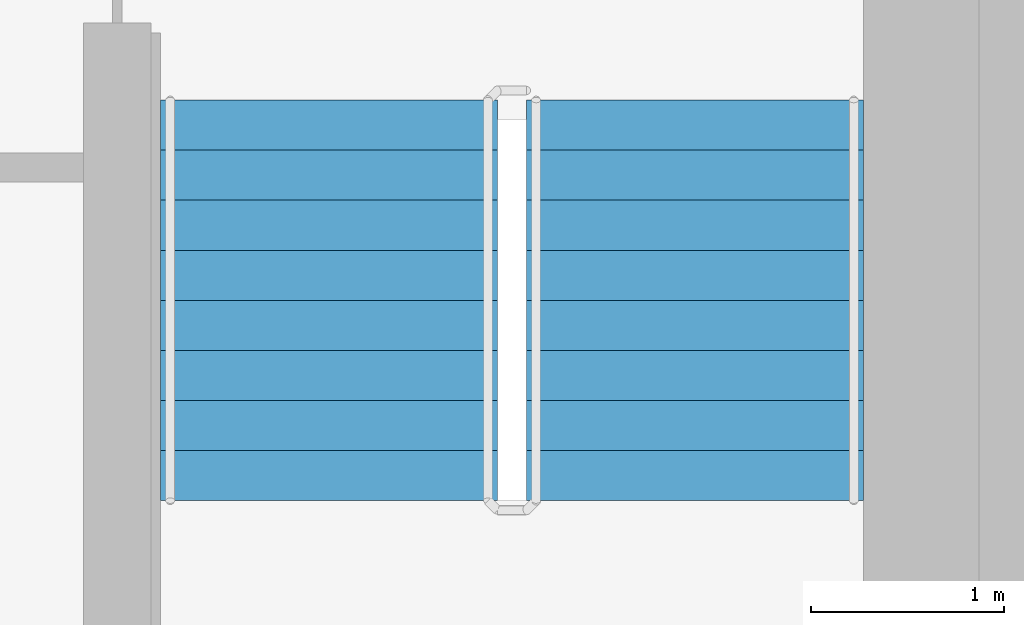
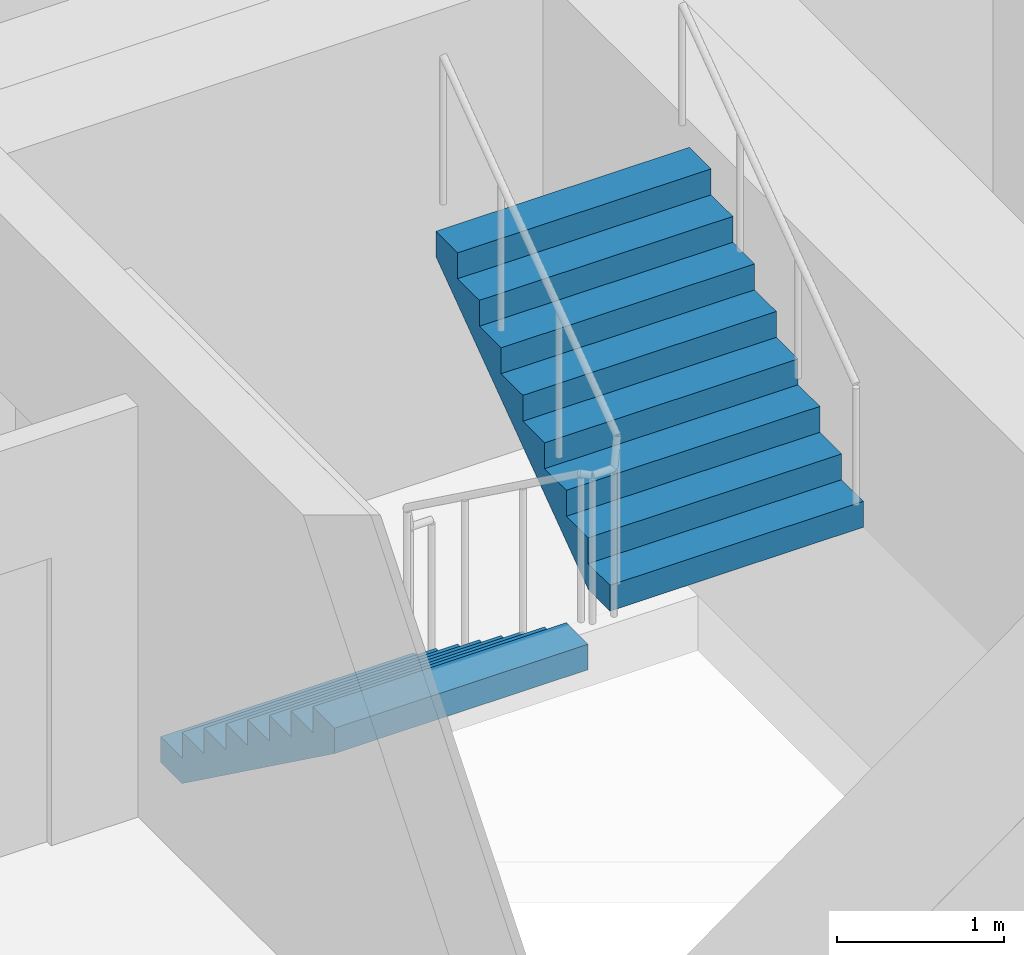
# One storey, part 14 of 18: 2 stair flights, 1 element without a shape of its own.
"""IFC4 building model written with IfcOpenShell, lengths in metres."""

import ifcopenshell
import ifcopenshell.guid

model = None  # the IFC model being written
_history = None  # IfcOwnerHistory: only IFC2X3 demands one
_inside = {}  # id of a spatial element -> (the spatial element, [elements in it])
_under = {}  # id of a project, library or spatial element -> (it, [spatial elements below it])
_declared = {}  # id of a project -> (the project, [libraries it declares])
_typed = {}  # id of a type object -> (the type object, [elements of that type])
_made_of = {}  # id of a material, layer set ... -> (it, [elements and type objects made of it])


def new_model(schema):
    """Start an empty IFC model of exactly this schema.

    Asked for "IFC4X3", IfcOpenShell would pick the latest addendum, in which some entities
    have other attributes; the version numbers below select the first issue.
    IFC2X3 requires an IfcOwnerHistory on every rooted entity: one is made here for all.
    """
    global model, _history
    if schema == "IFC4X3":
        model = ifcopenshell.file(schema_version=(4, 3, 0, 0))
    else:
        model = ifcopenshell.file(schema=schema)
    _inside.clear()
    _under.clear()
    _declared.clear()
    _typed.clear()
    _made_of.clear()
    _history = None
    if model.schema == "IFC2X3":
        org = make("IfcOrganization", Name="unknown")
        user = make(
            "IfcPersonAndOrganization",
            ThePerson=make("IfcPerson", FamilyName="unknown"),
            TheOrganization=org,
        )
        app = make(
            "IfcApplication",
            ApplicationDeveloper=org,
            Version="unknown",
            ApplicationFullName="unknown",
            ApplicationIdentifier="unknown",
        )
        _history = make(
            "IfcOwnerHistory",
            OwningUser=user,
            OwningApplication=app,
            ChangeAction="ADDED",
            CreationDate=0,
        )
    return model


def make(cls, **values):
    """One entity of the class cls with the attributes given. An attribute that is None is left unset."""
    return model.create_entity(
        cls, **{name: value for name, value in values.items() if value is not None}
    )


def rooted(cls, **values):
    """An entity with a GlobalId (a new one), such as an element, a storey or a relation."""
    return make(cls, GlobalId=ifcopenshell.guid.new(), OwnerHistory=_history, **values)


def si_unit(unit_type, name, prefix=None):
    """IfcSIUnit, for example si_unit("LENGTHUNIT", "METRE", prefix="MILLI")."""
    return make("IfcSIUnit", UnitType=unit_type, Prefix=prefix, Name=name)


def assignment(units):
    """IfcUnitAssignment: the units of a project."""
    return None if units is None else make("IfcUnitAssignment", Units=units)


def point(xyz):
    """IfcCartesianPoint."""
    return None if xyz is None else make("IfcCartesianPoint", Coordinates=xyz)


def direction(xyz):
    """IfcDirection."""
    return None if xyz is None else make("IfcDirection", DirectionRatios=xyz)


def frame(location, z_axis=None, x_axis=None):
    """IfcAxis2Placement3D, a coordinate frame: its origin and axes. An axis left out is left unset."""
    return make(
        "IfcAxis2Placement3D",
        Location=point(location),
        Axis=direction(z_axis),
        RefDirection=direction(x_axis),
    )


def origin():
    """The frame at (0, 0, 0) with its axes left unset."""
    return frame((0.0, 0.0, 0.0))


def place(relative_to, where):
    """IfcLocalPlacement: puts the frame where relative to a parent placement (None: the world)."""
    return make(
        "IfcLocalPlacement", PlacementRelTo=relative_to, RelativePlacement=where
    )


def context(
    kind, dimensions, precision=None, world=None, true_north=None, identifier=None
):
    """IfcGeometricRepresentationContext, for example the 3D "Model" context."""
    return make(
        "IfcGeometricRepresentationContext",
        ContextIdentifier=identifier,
        ContextType=kind,
        CoordinateSpaceDimension=dimensions,
        Precision=precision,
        WorldCoordinateSystem=world,
        TrueNorth=true_north,
    )


def subcontext(parent, identifier, kind, view, scale=None):
    """IfcGeometricRepresentationSubContext, for example "Body" below "Model"."""
    return make(
        "IfcGeometricRepresentationSubContext",
        ContextIdentifier=identifier,
        ContextType=kind,
        ParentContext=parent,
        TargetScale=scale,
        TargetView=view,
    )


def project(units=None, contexts=None):
    """IfcProject with its units and contexts."""
    return rooted(
        "IfcProject",
        Name="project",
        RepresentationContexts=contexts,
        UnitsInContext=assignment(units),
    )


def spatial(cls, under=None, at=None, **own):
    """A site, building, storey or space (cls), placed at a placement, below another one or the project."""
    s = rooted(cls, ObjectPlacement=at, **own)
    if under is not None:
        _under.setdefault(under.id(), (under, []))[1].append(s)
    return s


def faces_of(points, faces, orient=None, outer=None):
    """IfcFace entities. A face is a list of loops; a loop is a list of indices into points, from 0.

    orient and outer hold one flag for each loop. By default every Orientation is true, the
    first loop of a face is its IfcFaceOuterBound and the others are IfcFaceBound.
    """
    made = []
    for i, loops in enumerate(faces):
        bounds = []
        for j, loop in enumerate(loops):
            is_outer = j == 0 if outer is None else outer[i][j]
            bounds.append(
                make(
                    "IfcFaceOuterBound" if is_outer else "IfcFaceBound",
                    Bound=make("IfcPolyLoop", Polygon=[points[k] for k in loop]),
                    Orientation=True if orient is None else orient[i][j],
                )
            )
        made.append(make("IfcFace", Bounds=bounds))
    return made


def faceted_brep(points, faces, orient=None, outer=None, voids=None):
    """IfcFacetedBrep: a solid bounded by flat faces; with voids (closed shells), ...WithVoids."""
    shared = [point(p) for p in points]
    hull = make("IfcClosedShell", CfsFaces=faces_of(shared, faces, orient, outer))
    if voids is None:
        return make("IfcFacetedBrep", Outer=hull)
    return make(
        "IfcFacetedBrepWithVoids",
        Outer=hull,
        Voids=[
            make(cls, CfsFaces=faces_of(shared, fs, o, b)) for cls, fs, o, b in voids
        ],
    )


def shape(context_of_items, identifier, shape_type, items):
    """IfcShapeRepresentation: the items that make up one representation, for example the "Body"."""
    return make(
        "IfcShapeRepresentation",
        ContextOfItems=context_of_items,
        RepresentationIdentifier=identifier,
        RepresentationType=shape_type,
        Items=items,
    )


def material(Name=None, Category=None):
    """IfcMaterial."""
    return make("IfcMaterial", Name=Name, Category=Category)


def made_of(thing, what):
    """Note that an element or type object is made of a material, layer set ...; save() writes the relation."""
    if what is not None:
        _made_of.setdefault(what.id(), (what, []))[1].append(thing)
    return thing


def type_object(cls, material=None, **own):
    """A type object (cls), such as IfcWallType, which elements share."""
    return made_of(rooted(cls, **own), material)


def element(
    cls,
    number,
    at=None,
    inside=None,
    cuts=None,
    type_object=None,
    material=None,
    context=None,
    identifier="Body",
    shape_type=None,
    held_by="IfcProductDefinitionShape",
    body=None,
    shapes=None,
    **own,
):
    """One element of the class cls, such as IfcWall. Its Tag is "e" and its number.

    at: its placement. inside: the storey or other place that contains it. cuts: it is an
    opening in that element (IfcRelVoidsElement). A single representation is given by context,
    identifier, shape_type and body (its items); several are given by shapes. held_by: the class
    of the entity that holds the representations. save() writes the other relations.
    """
    e = rooted(cls, Tag="e%d" % number, ObjectPlacement=at, **own)
    if body is not None:
        shapes = [shape(context, identifier, shape_type, body)]
    if shapes is not None:
        e.Representation = make(held_by, Representations=shapes)
    if inside is not None:
        _inside.setdefault(inside.id(), (inside, []))[1].append(e)
    if cuts is not None:
        rooted(
            "IfcRelVoidsElement", RelatingBuildingElement=cuts, RelatedOpeningElement=e
        )
    if type_object is not None:
        _typed.setdefault(type_object.id(), (type_object, []))[1].append(e)
    return made_of(e, material)


def aggregate(whole, parts):
    """IfcRelAggregates: a whole, such as a stair, and the parts it consists of."""
    return rooted("IfcRelAggregates", RelatingObject=whole, RelatedObjects=parts)


def save(model, path):
    """Write the relations noted so far, then the file.

    IfcRelAggregates (storeys below a building ...), IfcRelContainedInSpatialStructure (elements
    in a storey), IfcRelDefinesByType, IfcRelAssociatesMaterial and IfcRelDeclares: one each for
    every whole, place, type object, material and project.
    """
    for whole, parts in _under.values():
        aggregate(whole, parts)
    for where, things in _inside.values():
        rooted(
            "IfcRelContainedInSpatialStructure",
            RelatedElements=things,
            RelatingStructure=where,
        )
    for kind, things in _typed.values():
        rooted("IfcRelDefinesByType", RelatedObjects=things, RelatingType=kind)
    for what, things in _made_of.values():
        rooted("IfcRelAssociatesMaterial", RelatedObjects=things, RelatingMaterial=what)
    for by, libraries in _declared.values():
        rooted("IfcRelDeclares", RelatingContext=by, RelatedDefinitions=libraries)
    model.write(path)


model = new_model("IFC4")

# Units and contexts
model_context = context("Model", 3, precision=1e-05, world=origin(), true_north=direction((0.0, 1.0)))
body_context = subcontext(model_context, "Body", "Model", "MODEL_VIEW")
ifc_project = project(units=[si_unit("LENGTHUNIT", "METRE"), si_unit("AREAUNIT", "SQUARE_METRE"), si_unit("VOLUMEUNIT", "CUBIC_METRE"), si_unit("PLANEANGLEUNIT", "RADIAN"), si_unit("MASSUNIT", "GRAM", prefix="KILO")], contexts=[model_context])

# Site, building, storey
site_placement = place(None, origin())
site = spatial("IfcSite", under=ifc_project, at=site_placement, CompositionType="ELEMENT")
building_placement = place(site_placement, origin())
building = spatial("IfcBuilding", under=site, at=building_placement, Name="Ipe Terrace Towers", CompositionType="ELEMENT")
storey_placement = place(building_placement, frame((0.0, 0.0, 196.0)))
storey = spatial("IfcBuildingStorey", under=building, at=storey_placement, Name="L54", CompositionType="ELEMENT", Elevation=196.0)

# Stair, stair flights
ifc_material_1 = material(Name="Concrete C30/37", Category="concrete")
stair_type = type_object("IfcStairType", Name="Protected exit stair", PredefinedType="HALF_TURN_STAIR", material=ifc_material_1)
stair_placement = place(storey_placement, origin())
stair = element("IfcStair", 1, at=stair_placement, inside=storey, type_object=stair_type, Name="L54 Exit stair T2-C2", PredefinedType="HALF_TURN_STAIR")
ifc_material_2 = material(Name="Concrete C30/37", Category="concrete")
stair_flight_type = type_object("IfcStairFlightType", Name="Exit stair flight 1750", PredefinedType="STRAIGHT", material=ifc_material_2)
stair_flight_1_placement = place(storey_placement, frame((38.77490234375, -9.699951171875, 0.0), z_axis=(0.0, 0.0, 1.0), x_axis=(0.0, -1.0, 0.0)))
stair_flight_1 = element("IfcStairFlight", 2, at=stair_flight_1_placement, type_object=stair_flight_type, Name="T2-ST2 flight 1", NumberOfRisers=9, NumberOfTreads=8, PredefinedType="STRAIGHT", RiserHeight=0.188888889, TreadLength=0.26, context=body_context, shape_type="Brep", body=[
    faceted_brep([(0.255126953125, -0.875, 0.0), (2.080078125, -0.875, 1.325927734375), (2.080078125, -0.875, 1.51123046875), (1.820068359375, -0.875, 1.51123046875), (1.820068359375, -0.875, 1.322265625), (1.56005859375, -0.875, 1.322265625), (1.56005859375, -0.875, 1.13330078125), (1.300048828125, -0.875, 1.13330078125), (1.300048828125, -0.875, 0.9443359375), (1.0400390625, -0.875, 0.9443359375), (1.0400390625, -0.875, 0.755615234375), (0.780029296875, -0.875, 0.755615234375), (0.780029296875, -0.875, 0.566650390625), (0.52001953125, -0.875, 0.566650390625), (0.52001953125, -0.875, 0.377685546875), (0.260009765625, -0.875, 0.377685546875), (0.260009765625, -0.875, 0.18896484375), (0.0, -0.875, 0.18896484375), (0.0, -0.875, 0.0), (0.0, 0.875, 0.0), (0.0, 0.875, 0.18896484375), (0.260009765625, 0.875, 0.18896484375), (0.260009765625, 0.875, 0.377685546875), (0.52001953125, 0.875, 0.377685546875), (0.52001953125, 0.875, 0.566650390625), (0.780029296875, 0.875, 0.566650390625), (0.780029296875, 0.875, 0.755615234375), (1.0400390625, 0.875, 0.755615234375), (1.0400390625, 0.875, 0.9443359375), (1.300048828125, 0.875, 0.9443359375), (1.300048828125, 0.875, 1.13330078125), (1.56005859375, 0.875, 1.13330078125), (1.56005859375, 0.875, 1.322265625), (1.820068359375, 0.875, 1.322265625), (1.820068359375, 0.875, 1.51123046875), (2.080078125, 0.875, 1.51123046875), (2.080078125, 0.875, 1.325927734375), (0.255126953125, 0.875, 0.0), (0.0, -0.300048828125, 0.18896484375), (0.0, -0.1201171875, 0.18896484375), (0.0, -0.06005859375, 0.18896484375), (0.0, -0.030029296875, 0.18896484375), (0.0, -0.010009765625, 0.18896484375), (0.0, 0.0, 0.18896484375), (0.0, 0.010009765625, 0.18896484375), (0.0, 0.030029296875, 0.18896484375), (0.0, 0.06005859375, 0.18896484375), (0.0, 0.1201171875, 0.18896484375), (0.0, 0.300048828125, 0.18896484375), (0.0, 0.300048828125, 0.0), (0.0, 0.1201171875, 0.0), (0.0, 0.06005859375, 0.0), (0.0, 0.030029296875, 0.0), (0.0, 0.010009765625, 0.0), (0.0, 0.0, 0.0), (0.0, -0.010009765625, 0.0), (0.0, -0.030029296875, 0.0), (0.0, -0.06005859375, 0.0), (0.0, -0.1201171875, 0.0), (0.0, -0.300048828125, 0.0), (0.260009765625, -0.300048828125, 0.18896484375), (0.260009765625, -0.1201171875, 0.18896484375), (0.260009765625, -0.06005859375, 0.18896484375), (0.260009765625, -0.030029296875, 0.18896484375), (0.260009765625, -0.010009765625, 0.18896484375), (0.260009765625, 0.0, 0.18896484375), (0.260009765625, 0.010009765625, 0.18896484375), (0.260009765625, 0.030029296875, 0.18896484375), (0.260009765625, 0.06005859375, 0.18896484375), (0.260009765625, 0.1201171875, 0.18896484375), (0.260009765625, 0.300048828125, 0.18896484375), (0.260009765625, -0.300048828125, 0.377685546875), (0.260009765625, -0.1201171875, 0.377685546875), (0.260009765625, -0.06005859375, 0.377685546875), (0.260009765625, -0.030029296875, 0.377685546875), (0.260009765625, -0.010009765625, 0.377685546875), (0.260009765625, 0.0, 0.377685546875), (0.260009765625, 0.010009765625, 0.377685546875), (0.260009765625, 0.030029296875, 0.377685546875), (0.260009765625, 0.06005859375, 0.377685546875), (0.260009765625, 0.1201171875, 0.377685546875), (0.260009765625, 0.300048828125, 0.377685546875), (0.52001953125, -0.300048828125, 0.377685546875), (0.52001953125, -0.1201171875, 0.377685546875), (0.52001953125, -0.06005859375, 0.377685546875), (0.52001953125, -0.030029296875, 0.377685546875), (0.52001953125, -0.010009765625, 0.377685546875), (0.52001953125, 0.0, 0.377685546875), (0.52001953125, 0.010009765625, 0.377685546875), (0.52001953125, 0.030029296875, 0.377685546875), (0.52001953125, 0.06005859375, 0.377685546875), (0.52001953125, 0.1201171875, 0.377685546875), (0.52001953125, 0.300048828125, 0.377685546875), (0.52001953125, -0.300048828125, 0.566650390625), (0.52001953125, -0.1201171875, 0.566650390625), (0.52001953125, -0.06005859375, 0.566650390625), (0.52001953125, -0.030029296875, 0.566650390625), (0.52001953125, -0.010009765625, 0.566650390625), (0.52001953125, 0.0, 0.566650390625), (0.52001953125, 0.010009765625, 0.566650390625), (0.52001953125, 0.030029296875, 0.566650390625), (0.52001953125, 0.06005859375, 0.566650390625), (0.52001953125, 0.1201171875, 0.566650390625), (0.52001953125, 0.300048828125, 0.566650390625), (0.780029296875, -0.300048828125, 0.566650390625), (0.780029296875, -0.1201171875, 0.566650390625), (0.780029296875, -0.06005859375, 0.566650390625), (0.780029296875, -0.030029296875, 0.566650390625), (0.780029296875, -0.010009765625, 0.566650390625), (0.780029296875, 0.0, 0.566650390625), (0.780029296875, 0.010009765625, 0.566650390625), (0.780029296875, 0.030029296875, 0.566650390625), (0.780029296875, 0.06005859375, 0.566650390625), (0.780029296875, 0.1201171875, 0.566650390625), (0.780029296875, 0.300048828125, 0.566650390625), (0.780029296875, -0.300048828125, 0.755615234375), (0.780029296875, -0.1201171875, 0.755615234375), (0.780029296875, -0.06005859375, 0.755615234375), (0.780029296875, -0.030029296875, 0.755615234375), (0.780029296875, -0.010009765625, 0.755615234375), (0.780029296875, 0.0, 0.755615234375), (0.780029296875, 0.010009765625, 0.755615234375), (0.780029296875, 0.030029296875, 0.755615234375), (0.780029296875, 0.06005859375, 0.755615234375), (0.780029296875, 0.1201171875, 0.755615234375), (0.780029296875, 0.300048828125, 0.755615234375), (1.0400390625, -0.300048828125, 0.755615234375), (1.0400390625, -0.1201171875, 0.755615234375), (1.0400390625, -0.06005859375, 0.755615234375), (1.0400390625, -0.030029296875, 0.755615234375), (1.0400390625, -0.010009765625, 0.755615234375), (1.0400390625, 0.0, 0.755615234375), (1.0400390625, 0.010009765625, 0.755615234375), (1.0400390625, 0.030029296875, 0.755615234375), (1.0400390625, 0.06005859375, 0.755615234375), (1.0400390625, 0.1201171875, 0.755615234375), (1.0400390625, 0.300048828125, 0.755615234375), (1.0400390625, -0.300048828125, 0.9443359375), (1.0400390625, -0.1201171875, 0.9443359375), (1.0400390625, -0.06005859375, 0.9443359375), (1.0400390625, -0.030029296875, 0.9443359375), (1.0400390625, -0.010009765625, 0.9443359375), (1.0400390625, 0.0, 0.9443359375), (1.0400390625, 0.010009765625, 0.9443359375), (1.0400390625, 0.030029296875, 0.9443359375), (1.0400390625, 0.06005859375, 0.9443359375), (1.0400390625, 0.1201171875, 0.9443359375), (1.0400390625, 0.300048828125, 0.9443359375), (1.300048828125, -0.300048828125, 0.9443359375), (1.300048828125, -0.1201171875, 0.9443359375), (1.300048828125, -0.06005859375, 0.9443359375), (1.300048828125, -0.030029296875, 0.9443359375), (1.300048828125, -0.010009765625, 0.9443359375), (1.300048828125, 0.0, 0.9443359375), (1.300048828125, 0.010009765625, 0.9443359375), (1.300048828125, 0.030029296875, 0.9443359375), (1.300048828125, 0.06005859375, 0.9443359375), (1.300048828125, 0.1201171875, 0.9443359375), (1.300048828125, 0.300048828125, 0.9443359375), (1.300048828125, -0.300048828125, 1.13330078125), (1.300048828125, -0.1201171875, 1.13330078125), (1.300048828125, -0.06005859375, 1.13330078125), (1.300048828125, -0.030029296875, 1.13330078125), (1.300048828125, -0.010009765625, 1.13330078125), (1.300048828125, 0.0, 1.13330078125), (1.300048828125, 0.010009765625, 1.13330078125), (1.300048828125, 0.030029296875, 1.13330078125), (1.300048828125, 0.06005859375, 1.13330078125), (1.300048828125, 0.1201171875, 1.13330078125), (1.300048828125, 0.300048828125, 1.13330078125), (1.56005859375, -0.300048828125, 1.13330078125), (1.56005859375, -0.1201171875, 1.13330078125), (1.56005859375, -0.06005859375, 1.13330078125), (1.56005859375, -0.030029296875, 1.13330078125), (1.56005859375, -0.010009765625, 1.13330078125), (1.56005859375, 0.0, 1.13330078125), (1.56005859375, 0.010009765625, 1.13330078125), (1.56005859375, 0.030029296875, 1.13330078125), (1.56005859375, 0.06005859375, 1.13330078125), (1.56005859375, 0.1201171875, 1.13330078125), (1.56005859375, 0.300048828125, 1.13330078125), (1.56005859375, -0.300048828125, 1.322265625), (1.56005859375, -0.1201171875, 1.322265625), (1.56005859375, -0.06005859375, 1.322265625), (1.56005859375, -0.030029296875, 1.322265625), (1.56005859375, -0.010009765625, 1.322265625), (1.56005859375, 0.0, 1.322265625), (1.56005859375, 0.010009765625, 1.322265625), (1.56005859375, 0.030029296875, 1.322265625), (1.56005859375, 0.06005859375, 1.322265625), (1.56005859375, 0.1201171875, 1.322265625), (1.56005859375, 0.300048828125, 1.322265625), (1.820068359375, -0.300048828125, 1.322265625), (1.820068359375, -0.1201171875, 1.322265625), (1.820068359375, -0.06005859375, 1.322265625), (1.820068359375, -0.030029296875, 1.322265625), (1.820068359375, -0.010009765625, 1.322265625), (1.820068359375, 0.0, 1.322265625), (1.820068359375, 0.010009765625, 1.322265625), (1.820068359375, 0.030029296875, 1.322265625), (1.820068359375, 0.06005859375, 1.322265625), (1.820068359375, 0.1201171875, 1.322265625), (1.820068359375, 0.300048828125, 1.322265625), (1.820068359375, -0.300048828125, 1.51123046875), (1.820068359375, -0.1201171875, 1.51123046875), (1.820068359375, -0.06005859375, 1.51123046875), (1.820068359375, -0.030029296875, 1.51123046875), (1.820068359375, -0.010009765625, 1.51123046875), (1.820068359375, 0.0, 1.51123046875), (1.820068359375, 0.010009765625, 1.51123046875), (1.820068359375, 0.030029296875, 1.51123046875), (1.820068359375, 0.06005859375, 1.51123046875), (1.820068359375, 0.1201171875, 1.51123046875), (1.820068359375, 0.300048828125, 1.51123046875), (2.080078125, -0.300048828125, 1.51123046875), (2.080078125, -0.1201171875, 1.51123046875), (2.080078125, -0.06005859375, 1.51123046875), (2.080078125, -0.030029296875, 1.51123046875), (2.080078125, -0.010009765625, 1.51123046875), (2.080078125, 0.0, 1.51123046875), (2.080078125, 0.010009765625, 1.51123046875), (2.080078125, 0.030029296875, 1.51123046875), (2.080078125, 0.06005859375, 1.51123046875), (2.080078125, 0.1201171875, 1.51123046875), (2.080078125, 0.300048828125, 1.51123046875), (2.080078125, -0.300048828125, 1.325927734375), (2.080078125, -0.1201171875, 1.325927734375), (2.080078125, -0.06005859375, 1.325927734375), (2.080078125, -0.030029296875, 1.325927734375), (2.080078125, -0.010009765625, 1.325927734375), (2.080078125, 0.0, 1.325927734375), (2.080078125, 0.010009765625, 1.325927734375), (2.080078125, 0.030029296875, 1.325927734375), (2.080078125, 0.06005859375, 1.325927734375), (2.080078125, 0.1201171875, 1.325927734375), (2.080078125, 0.300048828125, 1.325927734375), (0.255126953125, -0.300048828125, 0.0), (0.255126953125, -0.1201171875, 0.0), (0.255126953125, -0.06005859375, 0.0), (0.255126953125, -0.030029296875, 0.0), (0.255126953125, -0.010009765625, 0.0), (0.255126953125, 0.0, 0.0), (0.255126953125, 0.010009765625, 0.0), (0.255126953125, 0.030029296875, 0.0), (0.255126953125, 0.06005859375, 0.0), (0.255126953125, 0.1201171875, 0.0), (0.255126953125, 0.300048828125, 0.0)], [[[0, 1, 2, 3, 4, 5, 6, 7, 8, 9, 10, 11, 12, 13, 14, 15, 16, 17, 18]], [[19, 20, 21, 22, 23, 24, 25, 26, 27, 28, 29, 30, 31, 32, 33, 34, 35, 36, 37]], [[17, 38, 39, 40, 41, 42, 43, 44, 45, 46, 47, 48, 20, 19, 49, 50, 51, 52, 53, 54, 55, 56, 57, 58, 59, 18]], [[16, 60, 61, 62, 63, 64, 65, 66, 67, 68, 69, 70, 21, 20, 48, 47, 46, 45, 44, 43, 42, 41, 40, 39, 38, 17]], [[15, 71, 72, 73, 74, 75, 76, 77, 78, 79, 80, 81, 22, 21, 70, 69, 68, 67, 66, 65, 64, 63, 62, 61, 60, 16]], [[14, 82, 83, 84, 85, 86, 87, 88, 89, 90, 91, 92, 23, 22, 81, 80, 79, 78, 77, 76, 75, 74, 73, 72, 71, 15]], [[13, 93, 94, 95, 96, 97, 98, 99, 100, 101, 102, 103, 24, 23, 92, 91, 90, 89, 88, 87, 86, 85, 84, 83, 82, 14]], [[12, 104, 105, 106, 107, 108, 109, 110, 111, 112, 113, 114, 25, 24, 103, 102, 101, 100, 99, 98, 97, 96, 95, 94, 93, 13]], [[11, 115, 116, 117, 118, 119, 120, 121, 122, 123, 124, 125, 26, 25, 114, 113, 112, 111, 110, 109, 108, 107, 106, 105, 104, 12]], [[10, 126, 127, 128, 129, 130, 131, 132, 133, 134, 135, 136, 27, 26, 125, 124, 123, 122, 121, 120, 119, 118, 117, 116, 115, 11]], [[9, 137, 138, 139, 140, 141, 142, 143, 144, 145, 146, 147, 28, 27, 136, 135, 134, 133, 132, 131, 130, 129, 128, 127, 126, 10]], [[8, 148, 149, 150, 151, 152, 153, 154, 155, 156, 157, 158, 29, 28, 147, 146, 145, 144, 143, 142, 141, 140, 139, 138, 137, 9]], [[7, 159, 160, 161, 162, 163, 164, 165, 166, 167, 168, 169, 30, 29, 158, 157, 156, 155, 154, 153, 152, 151, 150, 149, 148, 8]], [[6, 170, 171, 172, 173, 174, 175, 176, 177, 178, 179, 180, 31, 30, 169, 168, 167, 166, 165, 164, 163, 162, 161, 160, 159, 7]], [[5, 181, 182, 183, 184, 185, 186, 187, 188, 189, 190, 191, 32, 31, 180, 179, 178, 177, 176, 175, 174, 173, 172, 171, 170, 6]], [[4, 192, 193, 194, 195, 196, 197, 198, 199, 200, 201, 202, 33, 32, 191, 190, 189, 188, 187, 186, 185, 184, 183, 182, 181, 5]], [[3, 203, 204, 205, 206, 207, 208, 209, 210, 211, 212, 213, 34, 33, 202, 201, 200, 199, 198, 197, 196, 195, 194, 193, 192, 4]], [[2, 214, 215, 216, 217, 218, 219, 220, 221, 222, 223, 224, 35, 34, 213, 212, 211, 210, 209, 208, 207, 206, 205, 204, 203, 3]], [[1, 225, 226, 227, 228, 229, 230, 231, 232, 233, 234, 235, 36, 35, 224, 223, 222, 221, 220, 219, 218, 217, 216, 215, 214, 2]], [[0, 236, 237, 238, 239, 240, 241, 242, 243, 244, 245, 246, 37, 36, 235, 234, 233, 232, 231, 230, 229, 228, 227, 226, 225, 1]], [[18, 59, 58, 57, 56, 55, 54, 53, 52, 51, 50, 49, 19, 37, 246, 245, 244, 243, 242, 241, 240, 239, 238, 237, 236, 0]]]),
])
stair_flight_2_placement = place(storey_placement, frame((40.675048828125, -11.780029296875, 1.699951171875), z_axis=(0.0, 0.0, 1.0), x_axis=(0.0, 1.0, 0.0)))
stair_flight_2 = element("IfcStairFlight", 3, at=stair_flight_2_placement, type_object=stair_flight_type, Name="T2-ST2 flight 2", NumberOfRisers=9, NumberOfTreads=8, PredefinedType="STRAIGHT", RiserHeight=0.188888889, TreadLength=0.26, context=body_context, shape_type="Brep", body=[
    faceted_brep([(0.255126953125, -0.875, 0.0), (2.080078125, -0.875, 1.325927734375), (2.080078125, -0.875, 1.51123046875), (1.820068359375, -0.875, 1.51123046875), (1.820068359375, -0.875, 1.322265625), (1.56005859375, -0.875, 1.322265625), (1.56005859375, -0.875, 1.13330078125), (1.300048828125, -0.875, 1.13330078125), (1.300048828125, -0.875, 0.9443359375), (1.0400390625, -0.875, 0.9443359375), (1.0400390625, -0.875, 0.755615234375), (0.780029296875, -0.875, 0.755615234375), (0.780029296875, -0.875, 0.566650390625), (0.52001953125, -0.875, 0.566650390625), (0.52001953125, -0.875, 0.377685546875), (0.260009765625, -0.875, 0.377685546875), (0.260009765625, -0.875, 0.18896484375), (0.0, -0.875, 0.18896484375), (0.0, -0.875, 0.0), (0.0, 0.875, 0.0), (0.0, 0.875, 0.18896484375), (0.260009765625, 0.875, 0.18896484375), (0.260009765625, 0.875, 0.377685546875), (0.52001953125, 0.875, 0.377685546875), (0.52001953125, 0.875, 0.566650390625), (0.780029296875, 0.875, 0.566650390625), (0.780029296875, 0.875, 0.755615234375), (1.0400390625, 0.875, 0.755615234375), (1.0400390625, 0.875, 0.9443359375), (1.300048828125, 0.875, 0.9443359375), (1.300048828125, 0.875, 1.13330078125), (1.56005859375, 0.875, 1.13330078125), (1.56005859375, 0.875, 1.322265625), (1.820068359375, 0.875, 1.322265625), (1.820068359375, 0.875, 1.51123046875), (2.080078125, 0.875, 1.51123046875), (2.080078125, 0.875, 1.325927734375), (0.255126953125, 0.875, 0.0), (0.0, -0.300048828125, 0.18896484375), (0.0, -0.1201171875, 0.18896484375), (0.0, -0.06005859375, 0.18896484375), (0.0, -0.030029296875, 0.18896484375), (0.0, -0.010009765625, 0.18896484375), (0.0, 0.0, 0.18896484375), (0.0, 0.010009765625, 0.18896484375), (0.0, 0.030029296875, 0.18896484375), (0.0, 0.06005859375, 0.18896484375), (0.0, 0.1201171875, 0.18896484375), (0.0, 0.300048828125, 0.18896484375), (0.0, 0.300048828125, 0.0), (0.0, 0.1201171875, 0.0), (0.0, 0.06005859375, 0.0), (0.0, 0.030029296875, 0.0), (0.0, 0.010009765625, 0.0), (0.0, 0.0, 0.0), (0.0, -0.010009765625, 0.0), (0.0, -0.030029296875, 0.0), (0.0, -0.06005859375, 0.0), (0.0, -0.1201171875, 0.0), (0.0, -0.300048828125, 0.0), (0.260009765625, -0.300048828125, 0.18896484375), (0.260009765625, -0.1201171875, 0.18896484375), (0.260009765625, -0.06005859375, 0.18896484375), (0.260009765625, -0.030029296875, 0.18896484375), (0.260009765625, -0.010009765625, 0.18896484375), (0.260009765625, 0.0, 0.18896484375), (0.260009765625, 0.010009765625, 0.18896484375), (0.260009765625, 0.030029296875, 0.18896484375), (0.260009765625, 0.06005859375, 0.18896484375), (0.260009765625, 0.1201171875, 0.18896484375), (0.260009765625, 0.300048828125, 0.18896484375), (0.260009765625, -0.300048828125, 0.377685546875), (0.260009765625, -0.1201171875, 0.377685546875), (0.260009765625, -0.06005859375, 0.377685546875), (0.260009765625, -0.030029296875, 0.377685546875), (0.260009765625, -0.010009765625, 0.377685546875), (0.260009765625, 0.0, 0.377685546875), (0.260009765625, 0.010009765625, 0.377685546875), (0.260009765625, 0.030029296875, 0.377685546875), (0.260009765625, 0.06005859375, 0.377685546875), (0.260009765625, 0.1201171875, 0.377685546875), (0.260009765625, 0.300048828125, 0.377685546875), (0.52001953125, -0.300048828125, 0.377685546875), (0.52001953125, -0.1201171875, 0.377685546875), (0.52001953125, -0.06005859375, 0.377685546875), (0.52001953125, -0.030029296875, 0.377685546875), (0.52001953125, -0.010009765625, 0.377685546875), (0.52001953125, 0.0, 0.377685546875), (0.52001953125, 0.010009765625, 0.377685546875), (0.52001953125, 0.030029296875, 0.377685546875), (0.52001953125, 0.06005859375, 0.377685546875), (0.52001953125, 0.1201171875, 0.377685546875), (0.52001953125, 0.300048828125, 0.377685546875), (0.52001953125, -0.300048828125, 0.566650390625), (0.52001953125, -0.1201171875, 0.566650390625), (0.52001953125, -0.06005859375, 0.566650390625), (0.52001953125, -0.030029296875, 0.566650390625), (0.52001953125, -0.010009765625, 0.566650390625), (0.52001953125, 0.0, 0.566650390625), (0.52001953125, 0.010009765625, 0.566650390625), (0.52001953125, 0.030029296875, 0.566650390625), (0.52001953125, 0.06005859375, 0.566650390625), (0.52001953125, 0.1201171875, 0.566650390625), (0.52001953125, 0.300048828125, 0.566650390625), (0.780029296875, -0.300048828125, 0.566650390625), (0.780029296875, -0.1201171875, 0.566650390625), (0.780029296875, -0.06005859375, 0.566650390625), (0.780029296875, -0.030029296875, 0.566650390625), (0.780029296875, -0.010009765625, 0.566650390625), (0.780029296875, 0.0, 0.566650390625), (0.780029296875, 0.010009765625, 0.566650390625), (0.780029296875, 0.030029296875, 0.566650390625), (0.780029296875, 0.06005859375, 0.566650390625), (0.780029296875, 0.1201171875, 0.566650390625), (0.780029296875, 0.300048828125, 0.566650390625), (0.780029296875, -0.300048828125, 0.755615234375), (0.780029296875, -0.1201171875, 0.755615234375), (0.780029296875, -0.06005859375, 0.755615234375), (0.780029296875, -0.030029296875, 0.755615234375), (0.780029296875, -0.010009765625, 0.755615234375), (0.780029296875, 0.0, 0.755615234375), (0.780029296875, 0.010009765625, 0.755615234375), (0.780029296875, 0.030029296875, 0.755615234375), (0.780029296875, 0.06005859375, 0.755615234375), (0.780029296875, 0.1201171875, 0.755615234375), (0.780029296875, 0.300048828125, 0.755615234375), (1.0400390625, -0.300048828125, 0.755615234375), (1.0400390625, -0.1201171875, 0.755615234375), (1.0400390625, -0.06005859375, 0.755615234375), (1.0400390625, -0.030029296875, 0.755615234375), (1.0400390625, -0.010009765625, 0.755615234375), (1.0400390625, 0.0, 0.755615234375), (1.0400390625, 0.010009765625, 0.755615234375), (1.0400390625, 0.030029296875, 0.755615234375), (1.0400390625, 0.06005859375, 0.755615234375), (1.0400390625, 0.1201171875, 0.755615234375), (1.0400390625, 0.300048828125, 0.755615234375), (1.0400390625, -0.300048828125, 0.9443359375), (1.0400390625, -0.1201171875, 0.9443359375), (1.0400390625, -0.06005859375, 0.9443359375), (1.0400390625, -0.030029296875, 0.9443359375), (1.0400390625, -0.010009765625, 0.9443359375), (1.0400390625, 0.0, 0.9443359375), (1.0400390625, 0.010009765625, 0.9443359375), (1.0400390625, 0.030029296875, 0.9443359375), (1.0400390625, 0.06005859375, 0.9443359375), (1.0400390625, 0.1201171875, 0.9443359375), (1.0400390625, 0.300048828125, 0.9443359375), (1.300048828125, -0.300048828125, 0.9443359375), (1.300048828125, -0.1201171875, 0.9443359375), (1.300048828125, -0.06005859375, 0.9443359375), (1.300048828125, -0.030029296875, 0.9443359375), (1.300048828125, -0.010009765625, 0.9443359375), (1.300048828125, 0.0, 0.9443359375), (1.300048828125, 0.010009765625, 0.9443359375), (1.300048828125, 0.030029296875, 0.9443359375), (1.300048828125, 0.06005859375, 0.9443359375), (1.300048828125, 0.1201171875, 0.9443359375), (1.300048828125, 0.300048828125, 0.9443359375), (1.300048828125, -0.300048828125, 1.13330078125), (1.300048828125, -0.1201171875, 1.13330078125), (1.300048828125, -0.06005859375, 1.13330078125), (1.300048828125, -0.030029296875, 1.13330078125), (1.300048828125, -0.010009765625, 1.13330078125), (1.300048828125, 0.0, 1.13330078125), (1.300048828125, 0.010009765625, 1.13330078125), (1.300048828125, 0.030029296875, 1.13330078125), (1.300048828125, 0.06005859375, 1.13330078125), (1.300048828125, 0.1201171875, 1.13330078125), (1.300048828125, 0.300048828125, 1.13330078125), (1.56005859375, -0.300048828125, 1.13330078125), (1.56005859375, -0.1201171875, 1.13330078125), (1.56005859375, -0.06005859375, 1.13330078125), (1.56005859375, -0.030029296875, 1.13330078125), (1.56005859375, -0.010009765625, 1.13330078125), (1.56005859375, 0.0, 1.13330078125), (1.56005859375, 0.010009765625, 1.13330078125), (1.56005859375, 0.030029296875, 1.13330078125), (1.56005859375, 0.06005859375, 1.13330078125), (1.56005859375, 0.1201171875, 1.13330078125), (1.56005859375, 0.300048828125, 1.13330078125), (1.56005859375, -0.300048828125, 1.322265625), (1.56005859375, -0.1201171875, 1.322265625), (1.56005859375, -0.06005859375, 1.322265625), (1.56005859375, -0.030029296875, 1.322265625), (1.56005859375, -0.010009765625, 1.322265625), (1.56005859375, 0.0, 1.322265625), (1.56005859375, 0.010009765625, 1.322265625), (1.56005859375, 0.030029296875, 1.322265625), (1.56005859375, 0.06005859375, 1.322265625), (1.56005859375, 0.1201171875, 1.322265625), (1.56005859375, 0.300048828125, 1.322265625), (1.820068359375, -0.300048828125, 1.322265625), (1.820068359375, -0.1201171875, 1.322265625), (1.820068359375, -0.06005859375, 1.322265625), (1.820068359375, -0.030029296875, 1.322265625), (1.820068359375, -0.010009765625, 1.322265625), (1.820068359375, 0.0, 1.322265625), (1.820068359375, 0.010009765625, 1.322265625), (1.820068359375, 0.030029296875, 1.322265625), (1.820068359375, 0.06005859375, 1.322265625), (1.820068359375, 0.1201171875, 1.322265625), (1.820068359375, 0.300048828125, 1.322265625), (1.820068359375, -0.300048828125, 1.51123046875), (1.820068359375, -0.1201171875, 1.51123046875), (1.820068359375, -0.06005859375, 1.51123046875), (1.820068359375, -0.030029296875, 1.51123046875), (1.820068359375, -0.010009765625, 1.51123046875), (1.820068359375, 0.0, 1.51123046875), (1.820068359375, 0.010009765625, 1.51123046875), (1.820068359375, 0.030029296875, 1.51123046875), (1.820068359375, 0.06005859375, 1.51123046875), (1.820068359375, 0.1201171875, 1.51123046875), (1.820068359375, 0.300048828125, 1.51123046875), (2.080078125, -0.300048828125, 1.51123046875), (2.080078125, -0.1201171875, 1.51123046875), (2.080078125, -0.06005859375, 1.51123046875), (2.080078125, -0.030029296875, 1.51123046875), (2.080078125, -0.010009765625, 1.51123046875), (2.080078125, 0.0, 1.51123046875), (2.080078125, 0.010009765625, 1.51123046875), (2.080078125, 0.030029296875, 1.51123046875), (2.080078125, 0.06005859375, 1.51123046875), (2.080078125, 0.1201171875, 1.51123046875), (2.080078125, 0.300048828125, 1.51123046875), (2.080078125, -0.300048828125, 1.325927734375), (2.080078125, -0.1201171875, 1.325927734375), (2.080078125, -0.06005859375, 1.325927734375), (2.080078125, -0.030029296875, 1.325927734375), (2.080078125, -0.010009765625, 1.325927734375), (2.080078125, 0.0, 1.325927734375), (2.080078125, 0.010009765625, 1.325927734375), (2.080078125, 0.030029296875, 1.325927734375), (2.080078125, 0.06005859375, 1.325927734375), (2.080078125, 0.1201171875, 1.325927734375), (2.080078125, 0.300048828125, 1.325927734375), (0.255126953125, -0.300048828125, 0.0), (0.255126953125, -0.1201171875, 0.0), (0.255126953125, -0.06005859375, 0.0), (0.255126953125, -0.030029296875, 0.0), (0.255126953125, -0.010009765625, 0.0), (0.255126953125, 0.0, 0.0), (0.255126953125, 0.010009765625, 0.0), (0.255126953125, 0.030029296875, 0.0), (0.255126953125, 0.06005859375, 0.0), (0.255126953125, 0.1201171875, 0.0), (0.255126953125, 0.300048828125, 0.0)], [[[0, 1, 2, 3, 4, 5, 6, 7, 8, 9, 10, 11, 12, 13, 14, 15, 16, 17, 18]], [[19, 20, 21, 22, 23, 24, 25, 26, 27, 28, 29, 30, 31, 32, 33, 34, 35, 36, 37]], [[17, 38, 39, 40, 41, 42, 43, 44, 45, 46, 47, 48, 20, 19, 49, 50, 51, 52, 53, 54, 55, 56, 57, 58, 59, 18]], [[16, 60, 61, 62, 63, 64, 65, 66, 67, 68, 69, 70, 21, 20, 48, 47, 46, 45, 44, 43, 42, 41, 40, 39, 38, 17]], [[15, 71, 72, 73, 74, 75, 76, 77, 78, 79, 80, 81, 22, 21, 70, 69, 68, 67, 66, 65, 64, 63, 62, 61, 60, 16]], [[14, 82, 83, 84, 85, 86, 87, 88, 89, 90, 91, 92, 23, 22, 81, 80, 79, 78, 77, 76, 75, 74, 73, 72, 71, 15]], [[13, 93, 94, 95, 96, 97, 98, 99, 100, 101, 102, 103, 24, 23, 92, 91, 90, 89, 88, 87, 86, 85, 84, 83, 82, 14]], [[12, 104, 105, 106, 107, 108, 109, 110, 111, 112, 113, 114, 25, 24, 103, 102, 101, 100, 99, 98, 97, 96, 95, 94, 93, 13]], [[11, 115, 116, 117, 118, 119, 120, 121, 122, 123, 124, 125, 26, 25, 114, 113, 112, 111, 110, 109, 108, 107, 106, 105, 104, 12]], [[10, 126, 127, 128, 129, 130, 131, 132, 133, 134, 135, 136, 27, 26, 125, 124, 123, 122, 121, 120, 119, 118, 117, 116, 115, 11]], [[9, 137, 138, 139, 140, 141, 142, 143, 144, 145, 146, 147, 28, 27, 136, 135, 134, 133, 132, 131, 130, 129, 128, 127, 126, 10]], [[8, 148, 149, 150, 151, 152, 153, 154, 155, 156, 157, 158, 29, 28, 147, 146, 145, 144, 143, 142, 141, 140, 139, 138, 137, 9]], [[7, 159, 160, 161, 162, 163, 164, 165, 166, 167, 168, 169, 30, 29, 158, 157, 156, 155, 154, 153, 152, 151, 150, 149, 148, 8]], [[6, 170, 171, 172, 173, 174, 175, 176, 177, 178, 179, 180, 31, 30, 169, 168, 167, 166, 165, 164, 163, 162, 161, 160, 159, 7]], [[5, 181, 182, 183, 184, 185, 186, 187, 188, 189, 190, 191, 32, 31, 180, 179, 178, 177, 176, 175, 174, 173, 172, 171, 170, 6]], [[4, 192, 193, 194, 195, 196, 197, 198, 199, 200, 201, 202, 33, 32, 191, 190, 189, 188, 187, 186, 185, 184, 183, 182, 181, 5]], [[3, 203, 204, 205, 206, 207, 208, 209, 210, 211, 212, 213, 34, 33, 202, 201, 200, 199, 198, 197, 196, 195, 194, 193, 192, 4]], [[2, 214, 215, 216, 217, 218, 219, 220, 221, 222, 223, 224, 35, 34, 213, 212, 211, 210, 209, 208, 207, 206, 205, 204, 203, 3]], [[1, 225, 226, 227, 228, 229, 230, 231, 232, 233, 234, 235, 36, 35, 224, 223, 222, 221, 220, 219, 218, 217, 216, 215, 214, 2]], [[0, 236, 237, 238, 239, 240, 241, 242, 243, 244, 245, 246, 37, 36, 235, 234, 233, 232, 231, 230, 229, 228, 227, 226, 225, 1]], [[18, 59, 58, 57, 56, 55, 54, 53, 52, 51, 50, 49, 19, 37, 246, 245, 244, 243, 242, 241, 240, 239, 238, 237, 236, 0]]]),
])
aggregate(stair, [stair_flight_1, stair_flight_2])

save(model, "model.ifc")
